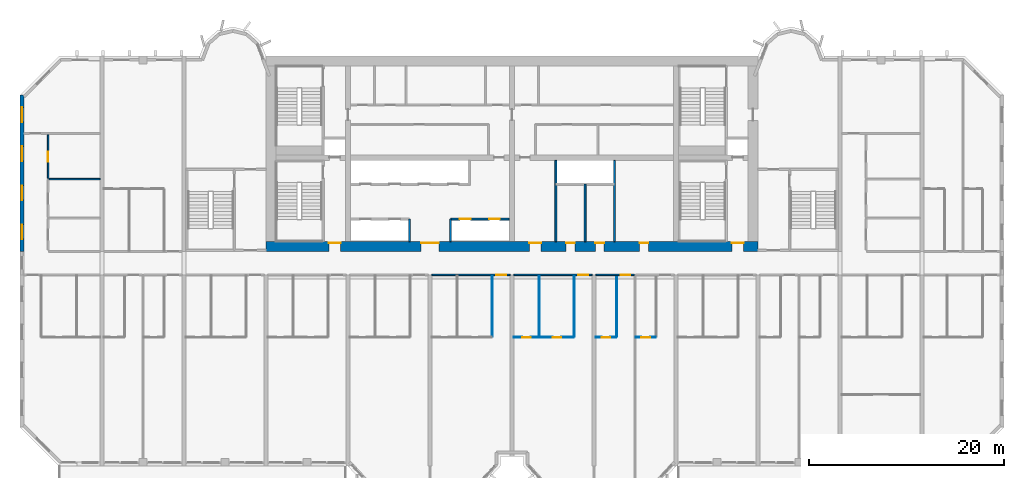
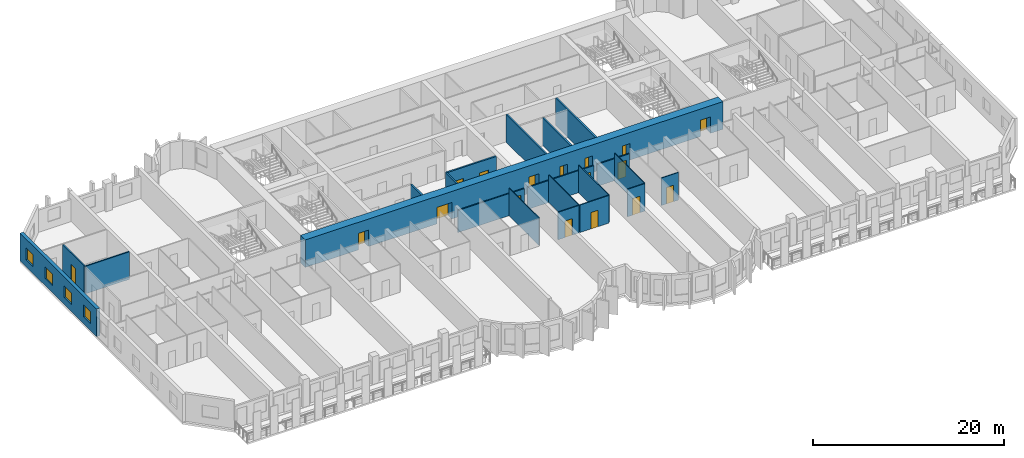
# One storey, part 5 of 15: 21 walls, 17 doors, 4 windows, 21 openings.
"""IFC4 building model written with IfcOpenShell, lengths in metres."""

from ifc_helpers import new_model, si_unit, direction, frame, frame_2d, origin, place, context, subcontext, project, spatial, rectangle, extrude, source, transform, mapped, material, layer, layer_set, type_object, element, fill, save


model = new_model("IFC4")

# Units and contexts
model_context = context("Model", 3, precision=1e-05, world=origin(), true_north=direction((0.0, 1.0)))
body_context = subcontext(model_context, "Body", "Model", "MODEL_VIEW")
ifc_project = project(units=[si_unit("LENGTHUNIT", "METRE"), si_unit("AREAUNIT", "SQUARE_METRE"), si_unit("VOLUMEUNIT", "CUBIC_METRE"), si_unit("PLANEANGLEUNIT", "RADIAN"), si_unit("MASSUNIT", "GRAM", prefix="KILO")], contexts=[model_context])

# Site, building, storey
site_placement = place(None, origin())
site = spatial("IfcSite", under=ifc_project, at=site_placement, CompositionType="ELEMENT")
building_placement = place(site_placement, origin())
building = spatial("IfcBuilding", under=site, at=building_placement, Name="Vanashikhar Sky Hotel", CompositionType="ELEMENT")
storey_placement = place(building_placement, frame((0.0, 0.0, 46.800048828125)))
storey = spatial("IfcBuildingStorey", under=building, at=storey_placement, Name="L10", CompositionType="ELEMENT", Elevation=46.800048828125)

# Wall, openings, doors
ifc_material_1 = material(Name="Concrete M80", Category="concrete")
ifc_layer_1 = layer(ifc_material_1, 1.0)
ifc_layer_set_1 = layer_set([ifc_layer_1], Name="RC core shell wall 1000 Concrete M80")
wall_type_1 = type_object("IfcWallType", Name="RC core shell wall 1000 Concrete M80", PredefinedType="SHEAR", material=ifc_layer_set_1)
shared_shape_1 = source(origin(), body_context, "Body", "SweptSolid", [
    extrude(rectangle(XDim=50.400146484375, YDim=1.0, at=frame_2d((25.2001953125, 0.0))), origin(), (0.0, 0.0, 1.0), 3.52001953125),
])
wall_1_placement = place(storey_placement, frame((25.199951171875, 22.5, 0.0), z_axis=(0.0, 0.0, 1.0), x_axis=(1.0, 0.0, 0.0)))
wall_1 = element("IfcWall", 1, at=wall_1_placement, inside=storey, type_object=wall_type_1, Name="KW-L10-KS", PredefinedType="SHEAR", context=body_context, shape_type="MappedRepresentation", body=[
    mapped(shared_shape_1, transform((0.0, 0.0, 0.0), scale=1.0)),
])
shared_shape_2 = source(origin(), body_context, "Body", "SweptSolid", [
    extrude(rectangle(XDim=1.800048828125, YDim=2.10009765625, at=frame_2d((0.89990234375, 1.050048828125))), frame((0.0, 0.510009765625, 0.0), z_axis=(0.0, -1.0, 0.0), x_axis=(1.0, 0.0, 0.0)), (0.0, 0.0, 1.0), 1.02001953125),
])
opening_1_placement = place(wall_1_placement, frame((15.89990234375, 0.0, 0.0)))
opening_1 = element("IfcOpeningElement", 2, at=opening_1_placement, cuts=wall_1, Name="Opening DC-3-A", PredefinedType="OPENING", context=body_context, shape_type="MappedRepresentation", body=[
    mapped(shared_shape_2, transform((0.0, 0.0, 0.0), scale=1.0)),
])
shared_shape_3 = source(origin(), body_context, "Body", "SweptSolid", [
    extrude(rectangle(XDim=1.199951171875, YDim=2.10009765625, at=frame_2d((0.60009765625, 1.050048828125))), frame((0.0, 0.510009765625, 0.0), z_axis=(0.0, -1.0, 0.0), x_axis=(1.0, 0.0, 0.0)), (0.0, 0.0, 1.0), 1.02001953125),
])
opening_2_placement = place(wall_1_placement, frame((26.987060546875, 0.0, 0.0)))
opening_2 = element("IfcOpeningElement", 3, at=opening_2_placement, cuts=wall_1, Name="Opening DC-4-B", PredefinedType="OPENING", context=body_context, shape_type="MappedRepresentation", body=[
    mapped(shared_shape_3, transform((0.0, 0.0, 0.0), scale=1.0)),
])
shared_shape_4 = source(origin(), body_context, "Body", "SweptSolid", [
    extrude(rectangle(XDim=0.89990234375, YDim=2.10009765625, at=frame_2d((0.449951171875, 1.050048828125))), frame((0.0, 0.510009765625, 0.0), z_axis=(0.0, -1.0, 0.0), x_axis=(1.0, 0.0, 0.0)), (0.0, 0.0, 1.0), 1.02001953125),
])
opening_3_placement = place(wall_1_placement, frame((33.75, 0.0, 0.0)))
opening_3 = element("IfcOpeningElement", 4, at=opening_3_placement, cuts=wall_1, Name="Opening DC-4-A", PredefinedType="OPENING", context=body_context, shape_type="MappedRepresentation", body=[
    mapped(shared_shape_4, transform((0.0, 0.0, 0.0), scale=1.0)),
])
opening_4_placement = place(wall_1_placement, frame((30.75, 0.0, 0.0)))
opening_4 = element("IfcOpeningElement", 5, at=opening_4_placement, cuts=wall_1, Name="Opening DC-4-A", PredefinedType="OPENING", context=body_context, shape_type="MappedRepresentation", body=[
    mapped(shared_shape_4, transform((0.0, 0.0, 0.0), scale=1.0)),
])
opening_5_placement = place(wall_1_placement, frame((38.261962890625, 0.0, 0.0)))
opening_5 = element("IfcOpeningElement", 6, at=opening_5_placement, cuts=wall_1, Name="Opening DC-4-A", PredefinedType="OPENING", context=body_context, shape_type="MappedRepresentation", body=[
    mapped(shared_shape_4, transform((0.0, 0.0, 0.0), scale=1.0)),
])
opening_6_placement = place(wall_1_placement, frame((6.43798828125, 0.0, 0.0)))
opening_6 = element("IfcOpeningElement", 7, at=opening_6_placement, cuts=wall_1, Name="Opening DC-2", PredefinedType="OPENING", context=body_context, shape_type="MappedRepresentation", body=[
    mapped(shared_shape_3, transform((0.0, 0.0, 0.0), scale=1.0)),
])
opening_7_placement = place(wall_1_placement, frame((47.72509765625, 0.0, 0.0)))
opening_7 = element("IfcOpeningElement", 8, at=opening_7_placement, cuts=wall_1, Name="Opening DC-2", PredefinedType="OPENING", context=body_context, shape_type="MappedRepresentation", body=[
    mapped(shared_shape_3, transform((0.0, 0.0, 0.0), scale=1.0)),
])
ifc_material_2 = material(Name="Glass", Category="glass")
door_type_1 = type_object("IfcDoorType", Name="Lift lobby entrance door 1800 FD30S", OperationType="NOTDEFINED", PredefinedType="DOOR", material=ifc_material_2)
shared_shape_5 = source(origin(), body_context, "Body", "SweptSolid", [
    extrude(rectangle(XDim=1.800048828125, YDim=2.10009765625, at=frame_2d((0.89990234375, 1.050048828125))), frame((0.0, 0.375, 0.0), z_axis=(0.0, -1.0, 0.0), x_axis=(1.0, 0.0, 0.0)), (0.0, 0.0, 1.0), 0.050048828125),
])
door_1_placement = place(opening_1_placement, origin())
door_1 = element("IfcDoor", 9, at=door_1_placement, inside=storey, type_object=door_type_1, Name="Lift lobby entrance door 1800 FD30S", OperationType="DOUBLE_DOOR_SINGLE_SWING", OverallHeight=2.10009765625, OverallWidth=1.800048828125, PredefinedType="DOOR", context=body_context, shape_type="MappedRepresentation", body=[
    mapped(shared_shape_5, transform((0.0, 0.0, 0.0), scale=1.0)),
])
fill(opening_1, door_1)
ifc_material_3 = material(Name="Steel", Category="steel")
door_type_2 = type_object("IfcDoorType", Name="Service door 1200 FD60", OperationType="NOTDEFINED", PredefinedType="DOOR", material=ifc_material_3)
shared_shape_6 = source(origin(), body_context, "Body", "SweptSolid", [
    extrude(rectangle(XDim=1.199951171875, YDim=2.10009765625, at=frame_2d((0.60009765625, 1.050048828125))), frame((0.0, 0.375, 0.0), z_axis=(0.0, -1.0, 0.0), x_axis=(1.0, 0.0, 0.0)), (0.0, 0.0, 1.0), 0.050048828125),
])
door_2_placement = place(opening_2_placement, origin())
door_2 = element("IfcDoor", 10, at=door_2_placement, inside=storey, type_object=door_type_2, Name="Service door 1200 FD60", OperationType="SINGLE_SWING_RIGHT", OverallHeight=2.10009765625, OverallWidth=1.199951171875, PredefinedType="DOOR", context=body_context, shape_type="MappedRepresentation", body=[
    mapped(shared_shape_6, transform((0.0, 0.0, 0.0), scale=1.0)),
])
fill(opening_2, door_2)
door_type_3 = type_object("IfcDoorType", Name="Firefighting lobby door 1200 FD120", OperationType="NOTDEFINED", PredefinedType="DOOR", material=ifc_material_3)
door_3_placement = place(opening_6_placement, origin())
door_3 = element("IfcDoor", 11, at=door_3_placement, inside=storey, type_object=door_type_3, Name="Firefighting lobby door 1200 FD120", OperationType="SINGLE_SWING_RIGHT", OverallHeight=2.10009765625, OverallWidth=1.199951171875, PredefinedType="DOOR", context=body_context, shape_type="MappedRepresentation", body=[
    mapped(shared_shape_6, transform((0.0, 0.0, 0.0), scale=1.0)),
])
fill(opening_6, door_3)
door_4_placement = place(opening_7_placement, origin())
door_4 = element("IfcDoor", 12, at=door_4_placement, inside=storey, type_object=door_type_3, Name="Firefighting lobby door 1200 FD120", OperationType="SINGLE_SWING_LEFT", OverallHeight=2.10009765625, OverallWidth=1.199951171875, PredefinedType="DOOR", context=body_context, shape_type="MappedRepresentation", body=[
    mapped(shared_shape_6, transform((0.0, 0.0, 0.0), scale=1.0)),
])
fill(opening_7, door_4)
door_type_4 = type_object("IfcDoorType", Name="Service door 900 FD60", OperationType="NOTDEFINED", PredefinedType="DOOR", material=ifc_material_3)
shared_shape_7 = source(origin(), body_context, "Body", "SweptSolid", [
    extrude(rectangle(XDim=0.89990234375, YDim=2.10009765625, at=frame_2d((0.449951171875, 1.050048828125))), frame((0.0, 0.375, 0.0), z_axis=(0.0, -1.0, 0.0), x_axis=(1.0, 0.0, 0.0)), (0.0, 0.0, 1.0), 0.050048828125),
])
door_5_placement = place(opening_3_placement, origin())
door_5 = element("IfcDoor", 13, at=door_5_placement, inside=storey, type_object=door_type_4, Name="Service door 900 FD60", OperationType="SINGLE_SWING_RIGHT", OverallHeight=2.10009765625, OverallWidth=0.89990234375, PredefinedType="DOOR", context=body_context, shape_type="MappedRepresentation", body=[
    mapped(shared_shape_7, transform((0.0, 0.0, 0.0), scale=1.0)),
])
fill(opening_3, door_5)
door_6_placement = place(opening_4_placement, origin())
door_6 = element("IfcDoor", 14, at=door_6_placement, inside=storey, type_object=door_type_4, Name="Service door 900 FD60", OperationType="SINGLE_SWING_LEFT", OverallHeight=2.10009765625, OverallWidth=0.89990234375, PredefinedType="DOOR", context=body_context, shape_type="MappedRepresentation", body=[
    mapped(shared_shape_7, transform((0.0, 0.0, 0.0), scale=1.0)),
])
fill(opening_4, door_6)
door_7_placement = place(opening_5_placement, origin())
door_7 = element("IfcDoor", 15, at=door_7_placement, inside=storey, type_object=door_type_4, Name="Service door 900 FD60", OperationType="SINGLE_SWING_LEFT", OverallHeight=2.10009765625, OverallWidth=0.89990234375, PredefinedType="DOOR", context=body_context, shape_type="MappedRepresentation", body=[
    mapped(shared_shape_7, transform((0.0, 0.0, 0.0), scale=1.0)),
])
fill(opening_5, door_7)

# Wall, openings, windows
ifc_layer_2 = layer(ifc_material_1, 0.39990234375)
ifc_layer_set_2 = layer_set([ifc_layer_2], Name="RC shear wall 400 Concrete M80")
wall_type_2 = type_object("IfcWallType", Name="RC shear wall 400 Concrete M80", PredefinedType="SHEAR", material=ifc_layer_set_2)
shared_shape_8 = source(origin(), body_context, "Body", "SweptSolid", [
    extrude(rectangle(XDim=16.0, YDim=0.39990234375, at=frame_2d((8.0, 0.0))), origin(), (0.0, 0.0, 1.0), 3.52001953125),
])
wall_2_placement = place(storey_placement, frame((0.199951171875, 22.0, 0.0), z_axis=(0.0, 0.0, 1.0), x_axis=(0.0, 1.0, 0.0)))
wall_2 = element("IfcWall", 16, at=wall_2_placement, inside=storey, type_object=wall_type_2, Name="CW-L10-XW01-2", PredefinedType="SHEAR", context=body_context, shape_type="MappedRepresentation", body=[
    mapped(shared_shape_8, transform((0.0, 0.0, 0.0), scale=1.0)),
])
shared_shape_9 = source(origin(), body_context, "Body", "SweptSolid", [
    extrude(rectangle(XDim=1.5, YDim=1.5, at=frame_2d((0.75, 0.75))), frame((0.0, 0.2099609375, 0.0), z_axis=(0.0, -1.0, 0.0), x_axis=(1.0, 0.0, 0.0)), (0.0, 0.0, 1.0), 0.419921875),
])
opening_8_placement = place(wall_2_placement, frame((1.25, 0.0, 0.89990234375)))
opening_8 = element("IfcOpeningElement", 17, at=opening_8_placement, cuts=wall_2, Name="Opening WN-1", PredefinedType="OPENING", context=body_context, shape_type="MappedRepresentation", body=[
    mapped(shared_shape_9, transform((0.0, 0.0, 0.0), scale=1.0)),
])
opening_9_placement = place(wall_2_placement, frame((5.25, 0.0, 0.89990234375)))
opening_9 = element("IfcOpeningElement", 18, at=opening_9_placement, cuts=wall_2, Name="Opening WN-1", PredefinedType="OPENING", context=body_context, shape_type="MappedRepresentation", body=[
    mapped(shared_shape_9, transform((0.0, 0.0, 0.0), scale=1.0)),
])
opening_10_placement = place(wall_2_placement, frame((9.25, 0.0, 0.89990234375)))
opening_10 = element("IfcOpeningElement", 19, at=opening_10_placement, cuts=wall_2, Name="Opening WN-1", PredefinedType="OPENING", context=body_context, shape_type="MappedRepresentation", body=[
    mapped(shared_shape_9, transform((0.0, 0.0, 0.0), scale=1.0)),
])
opening_11_placement = place(wall_2_placement, frame((13.25, 0.0, 0.89990234375)))
opening_11 = element("IfcOpeningElement", 20, at=opening_11_placement, cuts=wall_2, Name="Opening WN-1", PredefinedType="OPENING", context=body_context, shape_type="MappedRepresentation", body=[
    mapped(shared_shape_9, transform((0.0, 0.0, 0.0), scale=1.0)),
])
window_type = type_object("IfcWindowType", Name="Window 1500 x 1500", PartitioningType="SINGLE_PANEL", PredefinedType="WINDOW", material=ifc_material_2)
shared_shape_10 = source(origin(), body_context, "Body", "SweptSolid", [
    extrude(rectangle(XDim=1.5, YDim=1.5, at=frame_2d((0.75, 0.75))), frame((0.0, 0.030029296875, 0.0), z_axis=(0.0, -1.0, 0.0), x_axis=(1.0, 0.0, 0.0)), (0.0, 0.0, 1.0), 0.06005859375),
])
window_1_placement = place(opening_8_placement, origin())
window_1 = element("IfcWindow", 21, at=window_1_placement, inside=storey, type_object=window_type, Name="Window WN-1", OverallHeight=1.5, OverallWidth=1.5, PartitioningType="SINGLE_PANEL", PredefinedType="WINDOW", context=body_context, shape_type="MappedRepresentation", body=[
    mapped(shared_shape_10, transform((0.0, 0.0, 0.0), scale=1.0)),
])
fill(opening_8, window_1)
window_2_placement = place(opening_9_placement, origin())
window_2 = element("IfcWindow", 22, at=window_2_placement, inside=storey, type_object=window_type, Name="Window WN-1", OverallHeight=1.5, OverallWidth=1.5, PartitioningType="SINGLE_PANEL", PredefinedType="WINDOW", context=body_context, shape_type="MappedRepresentation", body=[
    mapped(shared_shape_10, transform((0.0, 0.0, 0.0), scale=1.0)),
])
fill(opening_9, window_2)
window_3_placement = place(opening_10_placement, origin())
window_3 = element("IfcWindow", 23, at=window_3_placement, inside=storey, type_object=window_type, Name="Window WN-1", OverallHeight=1.5, OverallWidth=1.5, PartitioningType="SINGLE_PANEL", PredefinedType="WINDOW", context=body_context, shape_type="MappedRepresentation", body=[
    mapped(shared_shape_10, transform((0.0, 0.0, 0.0), scale=1.0)),
])
fill(opening_10, window_3)
window_4_placement = place(opening_11_placement, origin())
window_4 = element("IfcWindow", 24, at=window_4_placement, inside=storey, type_object=window_type, Name="Window WN-1", OverallHeight=1.5, OverallWidth=1.5, PartitioningType="SINGLE_PANEL", PredefinedType="WINDOW", context=body_context, shape_type="MappedRepresentation", body=[
    mapped(shared_shape_10, transform((0.0, 0.0, 0.0), scale=1.0)),
])
fill(opening_11, window_4)

# Wall, openings, doors
ifc_material_4 = material(Name="Concrete M40", Category="concrete")
ifc_layer_3 = layer(ifc_material_4, 0.199951171875)
ifc_layer_set_3 = layer_set([ifc_layer_3], Name="Shaft wall 200")
wall_type_3 = type_object("IfcWallType", Name="Shaft wall 200", PredefinedType="SOLIDWALL", material=ifc_layer_set_3)
shared_shape_11 = source(origin(), body_context, "Body", "SweptSolid", [
    extrude(rectangle(XDim=6.0, YDim=0.199951171875, at=frame_2d((3.0, 0.0))), origin(), (0.0, 0.0, 1.0), 3.52001953125),
])
wall_3_placement = place(storey_placement, frame((44.10009765625, 25.300048828125, 0.0), z_axis=(0.0, 0.0, 1.0), x_axis=(1.0, 0.0, 0.0)))
wall_3 = element("IfcWall", 25, at=wall_3_placement, inside=storey, type_object=wall_type_3, Name="Shaft wall 200", PredefinedType="SOLIDWALL", context=body_context, shape_type="MappedRepresentation", body=[
    mapped(shared_shape_11, transform((0.0, 0.0, 0.0), scale=1.0)),
])
shared_shape_12 = source(origin(), body_context, "Body", "SweptSolid", [
    extrude(rectangle(XDim=1.10009765625, YDim=2.10009765625, at=frame_2d((0.550048828125, 1.050048828125))), frame((0.0, 0.10986328125, 0.0), z_axis=(0.0, -1.0, 0.0), x_axis=(1.0, 0.0, 0.0)), (0.0, 0.0, 1.0), 0.219970703125),
])
opening_12_placement = place(wall_3_placement, frame((0.949951171875, 0.0, 0.0)))
opening_12 = element("IfcOpeningElement", 26, at=opening_12_placement, cuts=wall_3, Name="Opening LD", PredefinedType="OPENING", context=body_context, shape_type="MappedRepresentation", body=[
    mapped(shared_shape_12, transform((0.0, 0.0, 0.0), scale=1.0)),
])
opening_13_placement = place(wall_3_placement, frame((3.949951171875, 0.0, 0.0)))
opening_13 = element("IfcOpeningElement", 27, at=opening_13_placement, cuts=wall_3, Name="Opening LD", PredefinedType="OPENING", context=body_context, shape_type="MappedRepresentation", body=[
    mapped(shared_shape_12, transform((0.0, 0.0, 0.0), scale=1.0)),
])
ifc_material_5 = material(Name="Stainless steel", Category="steel")
door_type_5 = type_object("IfcDoorType", Name="Lift landing door 1100", OperationType="NOTDEFINED", PredefinedType="DOOR", material=ifc_material_5)
shared_shape_13 = source(origin(), body_context, "Body", "SweptSolid", [
    extrude(rectangle(XDim=1.10009765625, YDim=2.10009765625, at=frame_2d((0.550048828125, 1.050048828125))), frame((0.0, 0.02490234375, 0.0), z_axis=(0.0, -1.0, 0.0), x_axis=(1.0, 0.0, 0.0)), (0.0, 0.0, 1.0), 0.050048828125),
])
door_8_placement = place(opening_12_placement, origin())
door_8 = element("IfcDoor", 28, at=door_8_placement, inside=storey, type_object=door_type_5, Name="Lift landing door 1100", OperationType="SLIDING_TO_LEFT", OverallHeight=2.10009765625, OverallWidth=1.10009765625, PredefinedType="DOOR", context=body_context, shape_type="MappedRepresentation", body=[
    mapped(shared_shape_13, transform((0.0, 0.0, 0.0), scale=1.0)),
])
fill(opening_12, door_8)
door_9_placement = place(opening_13_placement, origin())
door_9 = element("IfcDoor", 29, at=door_9_placement, inside=storey, type_object=door_type_5, Name="Lift landing door 1100", OperationType="SLIDING_TO_RIGHT", OverallHeight=2.10009765625, OverallWidth=1.10009765625, PredefinedType="DOOR", context=body_context, shape_type="MappedRepresentation", body=[
    mapped(shared_shape_13, transform((0.0, 0.0, 0.0), scale=1.0)),
])
fill(opening_13, door_9)

# Walls
shared_shape_14 = source(origin(), body_context, "Body", "SweptSolid", [
    extrude(rectangle(XDim=2.300048828125, YDim=0.199951171875, at=frame_2d((1.14990234375, 0.0))), origin(), (0.0, 0.0, 1.0), 3.52001953125),
])
for number, where, z_axis, x_axis, name in (
    (30, (39.89990234375, 23.0, 0.0), (0.0, 0.0, 1.0), (0.0, 1.0, 0.0), "Shaft wall 200"),
    (31, (44.10009765625, 23.0, 0.0), (0.0, 0.0, 1.0), (0.0, 1.0, 0.0), "Shaft wall 200"),
):
    element("IfcWall", number, at=place(storey_placement, frame(where, z_axis=z_axis, x_axis=x_axis)), inside=storey, type_object=wall_type_3, Name=name, PredefinedType="SOLIDWALL", context=body_context, shape_type="MappedRepresentation", body=[
        mapped(shared_shape_14, transform((0.0, 0.0, 0.0), scale=1.0)),
    ])
ifc_material_6 = material(Name="Gypsum board partition")
ifc_layer_4 = layer(ifc_material_6, 0.14990234375)
ifc_layer_set_4 = layer_set([ifc_layer_4], Name="Service partition 150")
wall_type_4 = type_object("IfcWallType", Name="Service partition 150", PredefinedType="PARTITIONING", material=ifc_layer_set_4)
shared_shape_15 = source(origin(), body_context, "Body", "SweptSolid", [
    extrude(rectangle(XDim=8.324951171875, YDim=0.199951171875, at=frame_2d((4.16259765625, 0.0))), origin(), (0.0, 0.0, 1.0), 3.52001953125),
])
for number, where, z_axis, x_axis, name in (
    (32, (54.89990234375, 23.0, 0.0), (0.0, 0.0, 1.0), (0.0, 1.0, 0.0), "Service partition 150"),
    (33, (60.89990234375, 23.0, 0.0), (0.0, 0.0, 1.0), (0.0, 1.0, 0.0), "Service partition 150"),
):
    element("IfcWall", number, at=place(storey_placement, frame(where, z_axis=z_axis, x_axis=x_axis)), inside=storey, type_object=wall_type_4, Name=name, PredefinedType="PARTITIONING", context=body_context, shape_type="MappedRepresentation", body=[
        mapped(shared_shape_15, transform((0.0, 0.0, 0.0), scale=1.0)),
    ])
shared_shape_16 = source(origin(), body_context, "Body", "SweptSolid", [
    extrude(rectangle(XDim=5.89990234375, YDim=0.199951171875, at=frame_2d((2.949951171875, 0.0))), origin(), (0.0, 0.0, 1.0), 3.52001953125),
])
wall_4_placement = place(storey_placement, frame((57.89990234375, 23.0, 0.0), z_axis=(0.0, 0.0, 1.0), x_axis=(0.0, 1.0, 0.0)))
element("IfcWall", 34, at=wall_4_placement, inside=storey, type_object=wall_type_4, Name="Service partition 150", PredefinedType="PARTITIONING", context=body_context, shape_type="MappedRepresentation", body=[
    mapped(shared_shape_16, transform((0.0, 0.0, 0.0), scale=1.0)),
])

# Wall, opening, door
ifc_material_7 = material(Name="Gypsum plasterboard partition")
ifc_layer_5 = layer(ifc_material_7, 0.10009765625)
ifc_layer_set_5 = layer_set([ifc_layer_5], Name="Wet room partition 100")
wall_type_5 = type_object("IfcWallType", Name="Wet room partition 100", PredefinedType="PARTITIONING", material=ifc_layer_set_5)
shared_shape_17 = source(origin(), body_context, "Body", "SweptSolid", [
    extrude(rectangle(XDim=3.5, YDim=0.10009765625, at=frame_2d((1.75, 0.0))), origin(), (0.0, 0.0, 1.0), 3.52001953125),
])
wall_5_placement = place(storey_placement, frame((53.25, 13.199951171875, 0.0), z_axis=(0.0, 0.0, 1.0), x_axis=(1.0, 0.0, 0.0)))
wall_5 = element("IfcWall", 35, at=wall_5_placement, inside=storey, type_object=wall_type_5, Name="W-L10-PW035", PredefinedType="PARTITIONING", context=body_context, shape_type="MappedRepresentation", body=[
    mapped(shared_shape_17, transform((0.0, 0.0, 0.0), scale=1.0)),
])
shared_shape_18 = source(origin(), body_context, "Body", "SweptSolid", [
    extrude(rectangle(XDim=0.89990234375, YDim=2.10009765625, at=frame_2d((0.449951171875, 1.050048828125))), frame((0.0, 0.06005859375, 0.0), z_axis=(0.0, -1.0, 0.0), x_axis=(1.0, 0.0, 0.0)), (0.0, 0.0, 1.0), 0.1201171875),
])
opening_14_placement = place(wall_5_placement, frame((1.300048828125, 0.0, 0.0)))
opening_14 = element("IfcOpeningElement", 36, at=opening_14_placement, cuts=wall_5, Name="Opening D-02", PredefinedType="OPENING", context=body_context, shape_type="MappedRepresentation", body=[
    mapped(shared_shape_18, transform((0.0, 0.0, 0.0), scale=1.0)),
])
ifc_material_8 = material(Name="Timber door", Category="wood")
door_type_6 = type_object("IfcDoorType", Name="Internal door 900", OperationType="NOTDEFINED", PredefinedType="DOOR", material=ifc_material_8)
shared_shape_19 = source(origin(), body_context, "Body", "SweptSolid", [
    extrude(rectangle(XDim=0.89990234375, YDim=2.10009765625, at=frame_2d((0.449951171875, 1.050048828125))), frame((0.0, 0.02490234375, 0.0), z_axis=(0.0, -1.0, 0.0), x_axis=(1.0, 0.0, 0.0)), (0.0, 0.0, 1.0), 0.050048828125),
])
door_10_placement = place(opening_14_placement, origin())
door_10 = element("IfcDoor", 37, at=door_10_placement, inside=storey, type_object=door_type_6, Name="D-L10-020", OperationType="SINGLE_SWING_RIGHT", OverallHeight=2.10009765625, OverallWidth=0.89990234375, PredefinedType="DOOR", context=body_context, shape_type="MappedRepresentation", body=[
    mapped(shared_shape_19, transform((0.0, 0.0, 0.0), scale=1.0)),
])
fill(opening_14, door_10)

# Walls
shared_shape_20 = source(origin(), body_context, "Body", "SweptSolid", [
    extrude(rectangle(XDim=6.25, YDim=0.10009765625, at=frame_2d((3.125, 0.0))), origin(), (0.0, 0.0, 1.0), 3.52001953125),
])
for number, where, z_axis, x_axis, name in (
    (38, (48.39990234375, 13.27490234375, 0.0), (0.0, 0.0, 1.0), (0.0, 1.0, 0.0), "W-L10-PW028"),
    (39, (56.800048828125, 13.27490234375, 0.0), (0.0, 0.0, 1.0), (0.0, 1.0, 0.0), "W-L10-PW033"),
    (40, (53.199951171875, 13.27490234375, 0.0), (0.0, 0.0, 1.0), (0.0, 1.0, 0.0), "W-L10-PW034"),
    (41, (61.125, 13.27490234375, 0.0), (0.0, 0.0, 1.0), (0.0, 1.0, 0.0), "W-L10-PW038"),
):
    element("IfcWall", number, at=place(storey_placement, frame(where, z_axis=z_axis, x_axis=x_axis)), inside=storey, type_object=wall_type_5, Name=name, PredefinedType="PARTITIONING", context=body_context, shape_type="MappedRepresentation", body=[
        mapped(shared_shape_20, transform((0.0, 0.0, 0.0), scale=1.0)),
    ])

# Wall, opening, door
ifc_layer_6 = layer(ifc_material_7, 0.14990234375)
ifc_layer_set_6 = layer_set([ifc_layer_6], Name="Corridor and demising partition 150")
wall_type_6 = type_object("IfcWallType", Name="Corridor and demising partition 150", PredefinedType="PARTITIONING", material=ifc_layer_set_6)
shared_shape_21 = source(origin(), body_context, "Body", "SweptSolid", [
    extrude(rectangle(XDim=4.449951171875, YDim=0.14990234375, at=frame_2d((2.22509765625, 0.0))), origin(), (0.0, 0.0, 1.0), 3.52001953125),
])
wall_6_placement = place(storey_placement, frame((2.875, 29.47509765625, 0.0), z_axis=(0.0, 0.0, 1.0), x_axis=(0.0, 1.0, 0.0)))
wall_6 = element("IfcWall", 42, at=wall_6_placement, inside=storey, type_object=wall_type_6, Name="W-L10-PW075", PredefinedType="PARTITIONING", context=body_context, shape_type="MappedRepresentation", body=[
    mapped(shared_shape_21, transform((0.0, 0.0, 0.0), scale=1.0)),
])
shared_shape_22 = source(origin(), body_context, "Body", "SweptSolid", [
    extrude(rectangle(XDim=1.0, YDim=2.10009765625, at=frame_2d((0.5, 1.050048828125))), frame((0.0, 0.0849609375, 0.0), z_axis=(0.0, -1.0, 0.0), x_axis=(1.0, 0.0, 0.0)), (0.0, 0.0, 1.0), 0.169921875),
])
opening_15_placement = place(wall_6_placement, frame((1.72509765625, 0.0, 0.0)))
opening_15 = element("IfcOpeningElement", 43, at=opening_15_placement, cuts=wall_6, Name="Opening D-01", PredefinedType="OPENING", context=body_context, shape_type="MappedRepresentation", body=[
    mapped(shared_shape_22, transform((0.0, 0.0, 0.0), scale=1.0)),
])
ifc_material_9 = material(Name="Timber fire door", Category="wood")
door_type_7 = type_object("IfcDoorType", Name="Guest entry door 1000 FD30S", OperationType="NOTDEFINED", PredefinedType="DOOR", material=ifc_material_9)
shared_shape_23 = source(origin(), body_context, "Body", "SweptSolid", [
    extrude(rectangle(XDim=1.0, YDim=2.10009765625, at=frame_2d((0.5, 1.050048828125))), frame((0.0, 0.02490234375, 0.0), z_axis=(0.0, -1.0, 0.0), x_axis=(1.0, 0.0, 0.0)), (0.0, 0.0, 1.0), 0.050048828125),
])
door_11_placement = place(opening_15_placement, origin())
door_11 = element("IfcDoor", 44, at=door_11_placement, inside=storey, type_object=door_type_7, Name="D-L10-043", OperationType="SINGLE_SWING_LEFT", OverallHeight=2.10009765625, OverallWidth=1.0, PredefinedType="DOOR", context=body_context, shape_type="MappedRepresentation", body=[
    mapped(shared_shape_23, transform((0.0, 0.0, 0.0), scale=1.0)),
])
fill(opening_15, door_11)

shared_shape_24 = source(origin(), body_context, "Body", "SweptSolid", [
    extrude(rectangle(XDim=2.074951171875, YDim=0.10009765625, at=frame_2d((1.03759765625, 0.0))), origin(), (0.0, 0.0, 1.0), 3.52001953125),
])
wall_7_placement = place(storey_placement, frame((59.0, 13.199951171875, 0.0), z_axis=(0.0, 0.0, 1.0), x_axis=(1.0, 0.0, 0.0)))
wall_7 = element("IfcWall", 45, at=wall_7_placement, inside=storey, type_object=wall_type_5, Name="W-L10-PW039", PredefinedType="PARTITIONING", context=body_context, shape_type="MappedRepresentation", body=[
    mapped(shared_shape_24, transform((0.0, 0.0, 0.0), scale=1.0)),
])
opening_16_placement = place(wall_7_placement, frame((0.5869140625, 0.0, 0.0)))
opening_16 = element("IfcOpeningElement", 46, at=opening_16_placement, cuts=wall_7, Name="Opening D-02", PredefinedType="OPENING", context=body_context, shape_type="MappedRepresentation", body=[
    mapped(shared_shape_18, transform((0.0, 0.0, 0.0), scale=1.0)),
])
door_12_placement = place(opening_16_placement, origin())
door_12 = element("IfcDoor", 47, at=door_12_placement, inside=storey, type_object=door_type_6, Name="D-L10-023", OperationType="SINGLE_SWING_RIGHT", OverallHeight=2.10009765625, OverallWidth=0.89990234375, PredefinedType="DOOR", context=body_context, shape_type="MappedRepresentation", body=[
    mapped(shared_shape_19, transform((0.0, 0.0, 0.0), scale=1.0)),
])
fill(opening_16, door_12)

wall_8_placement = place(storey_placement, frame((63.074951171875, 13.199951171875, 0.0), z_axis=(0.0, 0.0, 1.0), x_axis=(1.0, 0.0, 0.0)))
wall_8 = element("IfcWall", 48, at=wall_8_placement, inside=storey, type_object=wall_type_5, Name="W-L10-PW042", PredefinedType="PARTITIONING", context=body_context, shape_type="MappedRepresentation", body=[
    mapped(shared_shape_24, transform((0.0, 0.0, 0.0), scale=1.0)),
])
opening_17_placement = place(wall_8_placement, frame((0.587890625, 0.0, 0.0)))
opening_17 = element("IfcOpeningElement", 49, at=opening_17_placement, cuts=wall_8, Name="Opening D-02", PredefinedType="OPENING", context=body_context, shape_type="MappedRepresentation", body=[
    mapped(shared_shape_18, transform((0.0, 0.0, 0.0), scale=1.0)),
])
door_13_placement = place(opening_17_placement, origin())
door_13 = element("IfcDoor", 50, at=door_13_placement, inside=storey, type_object=door_type_6, Name="D-L10-025", OperationType="SINGLE_SWING_RIGHT", OverallHeight=2.10009765625, OverallWidth=0.89990234375, PredefinedType="DOOR", context=body_context, shape_type="MappedRepresentation", body=[
    mapped(shared_shape_19, transform((0.0, 0.0, 0.0), scale=1.0)),
])
fill(opening_17, door_13)

shared_shape_25 = source(origin(), body_context, "Body", "SweptSolid", [
    extrude(rectangle(XDim=3.925048828125, YDim=0.14990234375, at=frame_2d((1.96240234375, 0.0))), origin(), (0.0, 0.0, 1.0), 2.820068359375),
])
wall_9_placement = place(storey_placement, frame((59.0, 19.60009765625, 0.0), z_axis=(0.0, 0.0, 1.0), x_axis=(1.0, 0.0, 0.0)))
wall_9 = element("IfcWall", 51, at=wall_9_placement, inside=storey, type_object=wall_type_6, Name="W-L10-PW040", PredefinedType="PARTITIONING", context=body_context, shape_type="MappedRepresentation", body=[
    mapped(shared_shape_25, transform((0.0, 0.0, 0.0), scale=1.0)),
])
opening_18_placement = place(wall_9_placement, frame((2.52490234375, 0.0, 0.0)))
opening_18 = element("IfcOpeningElement", 52, at=opening_18_placement, cuts=wall_9, Name="Opening D-01", PredefinedType="OPENING", context=body_context, shape_type="MappedRepresentation", body=[
    mapped(shared_shape_22, transform((0.0, 0.0, 0.0), scale=1.0)),
])
door_14_placement = place(opening_18_placement, origin())
door_14 = element("IfcDoor", 53, at=door_14_placement, inside=storey, type_object=door_type_7, Name="D-L10-024", OperationType="SINGLE_SWING_RIGHT", OverallHeight=2.10009765625, OverallWidth=1.0, PredefinedType="DOOR", context=body_context, shape_type="MappedRepresentation", body=[
    mapped(shared_shape_23, transform((0.0, 0.0, 0.0), scale=1.0)),
])
fill(opening_18, door_14)

shared_shape_26 = source(origin(), body_context, "Body", "SweptSolid", [
    extrude(rectangle(XDim=8.0, YDim=0.14990234375, at=frame_2d((4.0, 0.0))), origin(), (0.0, 0.0, 1.0), 2.820068359375),
])
wall_10_placement = place(storey_placement, frame((42.199951171875, 19.60009765625, 0.0), z_axis=(0.0, 0.0, 1.0), x_axis=(1.0, 0.0, 0.0)))
wall_10 = element("IfcWall", 54, at=wall_10_placement, inside=storey, type_object=wall_type_6, Name="W-L10-PW032", PredefinedType="PARTITIONING", context=body_context, shape_type="MappedRepresentation", body=[
    mapped(shared_shape_26, transform((0.0, 0.0, 0.0), scale=1.0)),
])
opening_19_placement = place(wall_10_placement, frame((6.60009765625, 0.0, 0.0)))
opening_19 = element("IfcOpeningElement", 55, at=opening_19_placement, cuts=wall_10, Name="Opening D-01", PredefinedType="OPENING", context=body_context, shape_type="MappedRepresentation", body=[
    mapped(shared_shape_22, transform((0.0, 0.0, 0.0), scale=1.0)),
])
door_15_placement = place(opening_19_placement, origin())
door_15 = element("IfcDoor", 56, at=door_15_placement, inside=storey, type_object=door_type_7, Name="D-L10-019", OperationType="SINGLE_SWING_RIGHT", OverallHeight=2.10009765625, OverallWidth=1.0, PredefinedType="DOOR", context=body_context, shape_type="MappedRepresentation", body=[
    mapped(shared_shape_23, transform((0.0, 0.0, 0.0), scale=1.0)),
])
fill(opening_19, door_15)

wall_11_placement = place(storey_placement, frame((50.60009765625, 19.60009765625, 0.0), z_axis=(0.0, 0.0, 1.0), x_axis=(1.0, 0.0, 0.0)))
wall_11 = element("IfcWall", 57, at=wall_11_placement, inside=storey, type_object=wall_type_6, Name="W-L10-PW037", PredefinedType="PARTITIONING", context=body_context, shape_type="MappedRepresentation", body=[
    mapped(shared_shape_26, transform((0.0, 0.0, 0.0), scale=1.0)),
])
opening_20_placement = place(wall_11_placement, frame((6.60009765625, 0.0, 0.0)))
opening_20 = element("IfcOpeningElement", 58, at=opening_20_placement, cuts=wall_11, Name="Opening D-01", PredefinedType="OPENING", context=body_context, shape_type="MappedRepresentation", body=[
    mapped(shared_shape_22, transform((0.0, 0.0, 0.0), scale=1.0)),
])
door_16_placement = place(opening_20_placement, origin())
door_16 = element("IfcDoor", 59, at=door_16_placement, inside=storey, type_object=door_type_7, Name="D-L10-022", OperationType="SINGLE_SWING_RIGHT", OverallHeight=2.10009765625, OverallWidth=1.0, PredefinedType="DOOR", context=body_context, shape_type="MappedRepresentation", body=[
    mapped(shared_shape_23, transform((0.0, 0.0, 0.0), scale=1.0)),
])
fill(opening_20, door_16)

shared_shape_27 = source(origin(), body_context, "Body", "SweptSolid", [
    extrude(rectangle(XDim=2.5498046875, YDim=0.10009765625, at=frame_2d((1.27490234375, 0.0))), origin(), (0.0, 0.0, 1.0), 3.52001953125),
])
wall_12_placement = place(storey_placement, frame((50.60009765625, 13.199951171875, 0.0), z_axis=(0.0, 0.0, 1.0), x_axis=(1.0, 0.0, 0.0)))
wall_12 = element("IfcWall", 60, at=wall_12_placement, inside=storey, type_object=wall_type_5, Name="W-L10-PW036", PredefinedType="PARTITIONING", context=body_context, shape_type="MappedRepresentation", body=[
    mapped(shared_shape_27, transform((0.0, 0.0, 0.0), scale=1.0)),
])
opening_21_placement = place(wall_12_placement, frame((0.824951171875, 0.0, 0.0)))
opening_21 = element("IfcOpeningElement", 61, at=opening_21_placement, cuts=wall_12, Name="Opening D-02", PredefinedType="OPENING", context=body_context, shape_type="MappedRepresentation", body=[
    mapped(shared_shape_18, transform((0.0, 0.0, 0.0), scale=1.0)),
])
door_17_placement = place(opening_21_placement, origin())
door_17 = element("IfcDoor", 62, at=door_17_placement, inside=storey, type_object=door_type_6, Name="D-L10-021", OperationType="SINGLE_SWING_RIGHT", OverallHeight=2.10009765625, OverallWidth=0.89990234375, PredefinedType="DOOR", context=body_context, shape_type="MappedRepresentation", body=[
    mapped(shared_shape_19, transform((0.0, 0.0, 0.0), scale=1.0)),
])
fill(opening_21, door_17)

# Wall
shared_shape_28 = source(origin(), body_context, "Body", "SweptSolid", [
    extrude(rectangle(XDim=5.25, YDim=0.14990234375, at=frame_2d((2.625, 0.0))), origin(), (0.0, 0.0, 1.0), 3.52001953125),
])
wall_13_placement = place(storey_placement, frame((2.949951171875, 29.39990234375, 0.0), z_axis=(0.0, 0.0, 1.0), x_axis=(1.0, 0.0, 0.0)))
element("IfcWall", 63, at=wall_13_placement, inside=storey, type_object=wall_type_6, Name="W-L10-PW074", PredefinedType="PARTITIONING", context=body_context, shape_type="MappedRepresentation", body=[
    mapped(shared_shape_28, transform((0.0, 0.0, 0.0), scale=1.0)),
])

save(model, "model.ifc")
